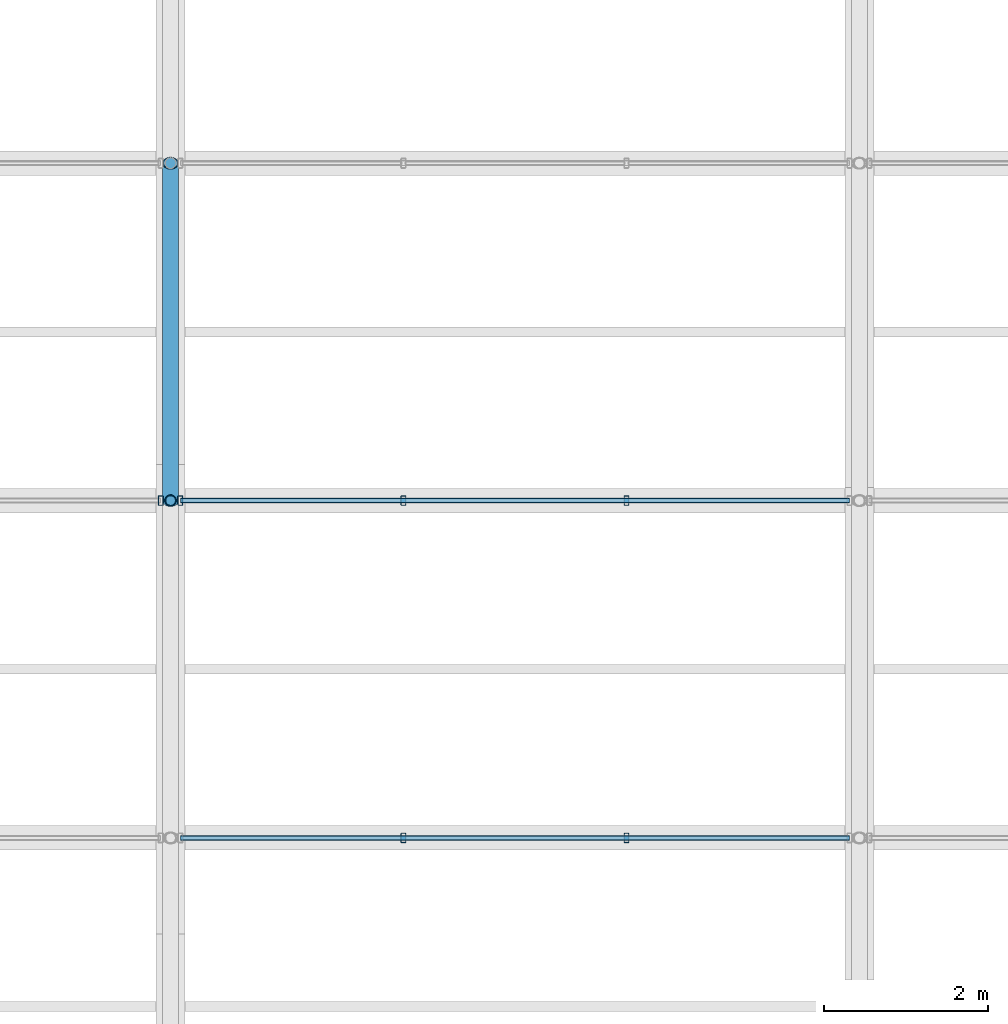
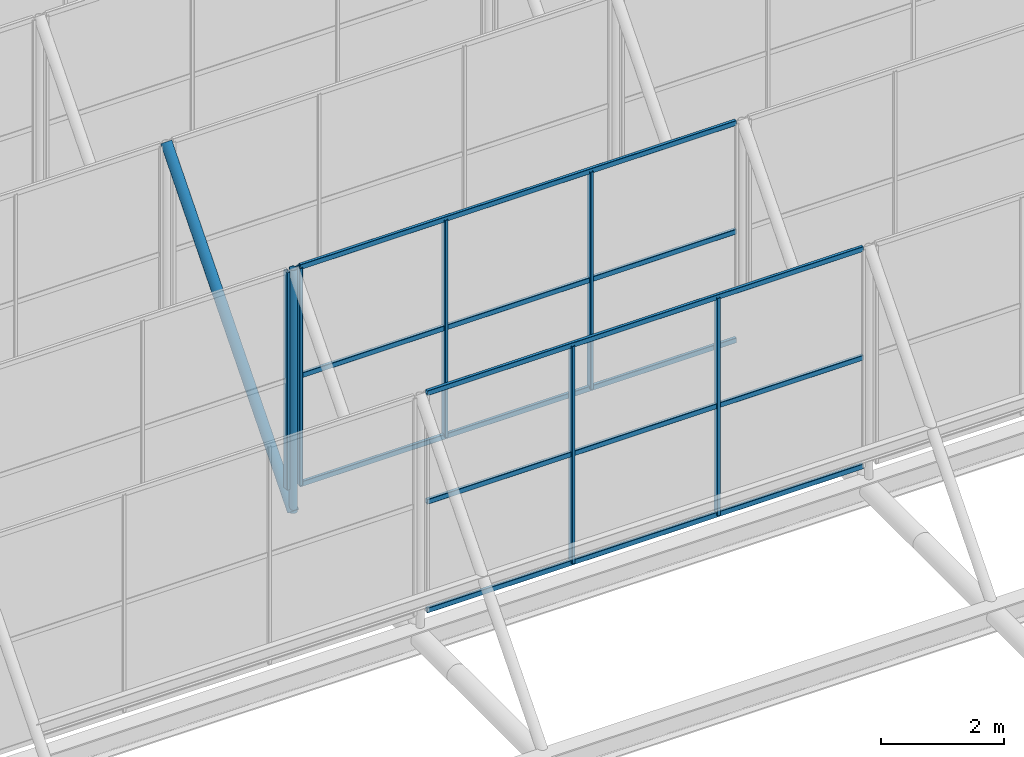
# One storey, part 5 of 77: 14 members, 3 elements without a shape of their own.
"""IFC4 building model written with IfcOpenShell, lengths in metres."""

from ifc_helpers import new_model, si_unit, derived_unit, direction, frame, origin, origin_2d, place, context, subcontext, project, spatial, hollow_rectangle, hollow_circle, extrude, material, material_profile, profile_set, type_object, element, aggregate, save


model = new_model("IFC4")

# Units and contexts
model_context = context("Model", 3, precision=1e-05, world=origin(), true_north=direction((0.0, 1.0)))
body_context = subcontext(model_context, "Body", "Model", "MODEL_VIEW")
ifc_project = project(units=[si_unit("LENGTHUNIT", "METRE"), si_unit("AREAUNIT", "SQUARE_METRE"), si_unit("VOLUMEUNIT", "CUBIC_METRE"), si_unit("PLANEANGLEUNIT", "RADIAN"), si_unit("MASSUNIT", "GRAM", prefix="KILO"), derived_unit("THERMALTRANSMITTANCEUNIT", [(si_unit("MASSUNIT", "GRAM", prefix="KILO"), 1), (si_unit("TIMEUNIT", "SECOND"), -3), (si_unit("THERMODYNAMICTEMPERATUREUNIT", "KELVIN"), -1)])], contexts=[model_context])

# Site, building, storey
site_placement = place(None, origin())
site = spatial("IfcSite", under=ifc_project, at=site_placement, CompositionType="ELEMENT")
building_placement = place(site_placement, origin())
building = spatial("IfcBuilding", under=site, at=building_placement, Name="Kharveza Railside Sports Centre", CompositionType="ELEMENT")
storey_placement = place(building_placement, frame((0.0, 0.0, 17.10009765625)))
storey = spatial("IfcBuildingStorey", under=building, at=storey_placement, Name="L04", CompositionType="ELEMENT", Elevation=17.10009765625)

# Curtain wall, members
ifc_material_1 = material(Name="Low-E solar-control laminated glass", Category="glass")
curtain_wall_type = type_object("IfcCurtainWallType", Name="CW-NL01", PredefinedType="NOTDEFINED", material=ifc_material_1)
curtain_wall_1_placement = place(storey_placement, origin())
curtain_wall_1 = element("IfcCurtainWall", 1, at=curtain_wall_1_placement, inside=storey, type_object=curtain_wall_type, Name="CW-V1NL-1-2", PredefinedType="NOTDEFINED")
ifc_material_2 = material(Name="Anodised aluminium 6063-T6", Category="aluminium")
ifc_material_profile_1 = material_profile(ifc_material_2, hollow_rectangle(XDim=0.06005859375, YDim=0.1201171875, WallThickness=0.0048828125, InnerFilletRadius=0.0048828125, OuterFilletRadius=0.010009765625, at=origin_2d()), Name="RHS 60x120x5.0")
ifc_profile_set_1 = profile_set([ifc_material_profile_1], Name="Anodised aluminium 6063-T6")
member_type_1 = type_object("IfcMemberType", Name="CW-ML05", PredefinedType="MULLION", material=ifc_profile_set_1)
member_1_placement = place(storey_placement, frame((44.840087890625, 40.1142578125, -0.550048828125), z_axis=(0.0, 0.0, 1.0), x_axis=(1.0, 0.0, 0.0)))
member_1 = element("IfcMember", 2, at=member_1_placement, type_object=member_type_1, Name="CW-V1NL-1-2-ML2", PredefinedType="MULLION", context=body_context, shape_type="SweptSolid", body=[
    extrude(hollow_rectangle(XDim=0.06005859375, YDim=0.1201171875, WallThickness=0.0048828125, InnerFilletRadius=0.0048828125, OuterFilletRadius=0.010009765625, at=origin_2d()), origin(), (0.0, 0.0, 1.0), 4.300048828125),
])
member_2_placement = place(storey_placement, frame((47.56005859375, 40.1142578125, -0.550048828125), z_axis=(0.0, 0.0, 1.0), x_axis=(1.0, 0.0, 0.0)))
member_2 = element("IfcMember", 3, at=member_2_placement, type_object=member_type_1, Name="CW-V1NL-1-2-ML3", PredefinedType="MULLION", context=body_context, shape_type="SweptSolid", body=[
    extrude(hollow_rectangle(XDim=0.06005859375, YDim=0.1201171875, WallThickness=0.0048828125, InnerFilletRadius=0.0048828125, OuterFilletRadius=0.010009765625, at=origin_2d()), origin(), (0.0, 0.0, 1.0), 4.300048828125),
])

# Curtain wall, member
curtain_wall_2_placement = place(storey_placement, origin())
curtain_wall_2 = element("IfcCurtainWall", 4, at=curtain_wall_2_placement, inside=storey, type_object=curtain_wall_type, Name="CW-V1NL-2-1", PredefinedType="NOTDEFINED")
member_3_placement = place(storey_placement, frame((41.8798828125, 44.228515625, -0.550048828125), z_axis=(0.0, 0.0, 1.0), x_axis=(1.0, 0.0, 0.0)))
member_3 = element("IfcMember", 5, at=member_3_placement, type_object=member_type_1, Name="CW-V1NL-2-1-ML4", PredefinedType="MULLION", context=body_context, shape_type="SweptSolid", body=[
    extrude(hollow_rectangle(XDim=0.06005859375, YDim=0.1201171875, WallThickness=0.0048828125, InnerFilletRadius=0.0048828125, OuterFilletRadius=0.010009765625, at=origin_2d()), origin(), (0.0, 0.0, 1.0), 4.300048828125),
])
aggregate(curtain_wall_2, [member_3])

# Curtain wall, members
curtain_wall_3_placement = place(storey_placement, origin())
curtain_wall_3 = element("IfcCurtainWall", 6, at=curtain_wall_3_placement, inside=storey, type_object=curtain_wall_type, Name="CW-V1NL-2-2", PredefinedType="NOTDEFINED")
member_4_placement = place(storey_placement, frame((42.1201171875, 44.228515625, -0.550048828125), z_axis=(0.0, 0.0, 1.0), x_axis=(1.0, 0.0, 0.0)))
member_4 = element("IfcMember", 7, at=member_4_placement, type_object=member_type_1, Name="CW-V1NL-2-2-ML1", PredefinedType="MULLION", context=body_context, shape_type="SweptSolid", body=[
    extrude(hollow_rectangle(XDim=0.06005859375, YDim=0.1201171875, WallThickness=0.0048828125, InnerFilletRadius=0.0048828125, OuterFilletRadius=0.010009765625, at=origin_2d()), origin(), (0.0, 0.0, 1.0), 4.300048828125),
])
member_5_placement = place(storey_placement, frame((44.840087890625, 44.228515625, -0.550048828125), z_axis=(0.0, 0.0, 1.0), x_axis=(1.0, 0.0, 0.0)))
member_5 = element("IfcMember", 8, at=member_5_placement, type_object=member_type_1, Name="CW-V1NL-2-2-ML2", PredefinedType="MULLION", context=body_context, shape_type="SweptSolid", body=[
    extrude(hollow_rectangle(XDim=0.06005859375, YDim=0.1201171875, WallThickness=0.0048828125, InnerFilletRadius=0.0048828125, OuterFilletRadius=0.010009765625, at=origin_2d()), origin(), (0.0, 0.0, 1.0), 4.300048828125),
])
member_6_placement = place(storey_placement, frame((47.56005859375, 44.228515625, -0.550048828125), z_axis=(0.0, 0.0, 1.0), x_axis=(1.0, 0.0, 0.0)))
member_6 = element("IfcMember", 9, at=member_6_placement, type_object=member_type_1, Name="CW-V1NL-2-2-ML3", PredefinedType="MULLION", context=body_context, shape_type="SweptSolid", body=[
    extrude(hollow_rectangle(XDim=0.06005859375, YDim=0.1201171875, WallThickness=0.0048828125, InnerFilletRadius=0.0048828125, OuterFilletRadius=0.010009765625, at=origin_2d()), origin(), (0.0, 0.0, 1.0), 4.300048828125),
])

# Member
ifc_material_profile_2 = material_profile(ifc_material_2, hollow_rectangle(XDim=0.06005859375, YDim=0.10009765625, WallThickness=0.00390625, InnerFilletRadius=0.00390625, OuterFilletRadius=0.008056640625, at=origin_2d()), Name="RHS 60x100x4.0")
ifc_profile_set_2 = profile_set([ifc_material_profile_2], Name="Anodised aluminium 6063-T6")
member_type_2 = type_object("IfcMemberType", Name="CW-TR05", PredefinedType="USERDEFINED", material=ifc_profile_set_2)
member_7_placement = place(storey_placement, frame((42.1201171875, 40.1142578125, -0.550048828125), z_axis=(1.0, 0.0, 0.0), x_axis=(0.0, 1.0, 0.0)))
member_7 = element("IfcMember", 10, at=member_7_placement, type_object=member_type_2, Name="CW-V1NL-1-2-TR1", ObjectType="TRANSOM", PredefinedType="USERDEFINED", context=body_context, shape_type="SweptSolid", body=[
    extrude(hollow_rectangle(XDim=0.06005859375, YDim=0.10009765625, WallThickness=0.00390625, InnerFilletRadius=0.00390625, OuterFilletRadius=0.008056640625, at=origin_2d()), origin(), (0.0, 0.0, 1.0), 8.159912109375),
])

member_8_placement = place(storey_placement, frame((42.1201171875, 40.1142578125, 1.599853515625), z_axis=(1.0, 0.0, 0.0), x_axis=(0.0, 1.0, 0.0)))
member_8 = element("IfcMember", 11, at=member_8_placement, type_object=member_type_2, Name="CW-V1NL-1-2-TR2", ObjectType="TRANSOM", PredefinedType="USERDEFINED", context=body_context, shape_type="SweptSolid", body=[
    extrude(hollow_rectangle(XDim=0.06005859375, YDim=0.10009765625, WallThickness=0.00390625, InnerFilletRadius=0.00390625, OuterFilletRadius=0.008056640625, at=origin_2d()), origin(), (0.0, 0.0, 1.0), 8.159912109375),
])

member_9_placement = place(storey_placement, frame((42.1201171875, 40.1142578125, 3.75), z_axis=(1.0, 0.0, 0.0), x_axis=(0.0, 1.0, 0.0)))
member_9 = element("IfcMember", 12, at=member_9_placement, type_object=member_type_2, Name="CW-V1NL-1-2-TR3", ObjectType="TRANSOM", PredefinedType="USERDEFINED", context=body_context, shape_type="SweptSolid", body=[
    extrude(hollow_rectangle(XDim=0.06005859375, YDim=0.10009765625, WallThickness=0.00390625, InnerFilletRadius=0.00390625, OuterFilletRadius=0.008056640625, at=origin_2d()), origin(), (0.0, 0.0, 1.0), 8.159912109375),
])

aggregate(curtain_wall_1, [member_1, member_2, member_7, member_8, member_9])

member_10_placement = place(storey_placement, frame((42.1201171875, 44.228515625, -0.550048828125), z_axis=(1.0, 0.0, 0.0), x_axis=(0.0, 1.0, 0.0)))
member_10 = element("IfcMember", 13, at=member_10_placement, type_object=member_type_2, Name="CW-V1NL-2-2-TR1", ObjectType="TRANSOM", PredefinedType="USERDEFINED", context=body_context, shape_type="SweptSolid", body=[
    extrude(hollow_rectangle(XDim=0.06005859375, YDim=0.10009765625, WallThickness=0.00390625, InnerFilletRadius=0.00390625, OuterFilletRadius=0.008056640625, at=origin_2d()), origin(), (0.0, 0.0, 1.0), 8.159912109375),
])

member_11_placement = place(storey_placement, frame((42.1201171875, 44.228515625, 1.599853515625), z_axis=(1.0, 0.0, 0.0), x_axis=(0.0, 1.0, 0.0)))
member_11 = element("IfcMember", 14, at=member_11_placement, type_object=member_type_2, Name="CW-V1NL-2-2-TR2", ObjectType="TRANSOM", PredefinedType="USERDEFINED", context=body_context, shape_type="SweptSolid", body=[
    extrude(hollow_rectangle(XDim=0.06005859375, YDim=0.10009765625, WallThickness=0.00390625, InnerFilletRadius=0.00390625, OuterFilletRadius=0.008056640625, at=origin_2d()), origin(), (0.0, 0.0, 1.0), 8.159912109375),
])

member_12_placement = place(storey_placement, frame((42.1201171875, 44.228515625, 3.75), z_axis=(1.0, 0.0, 0.0), x_axis=(0.0, 1.0, 0.0)))
member_12 = element("IfcMember", 15, at=member_12_placement, type_object=member_type_2, Name="CW-V1NL-2-2-TR3", ObjectType="TRANSOM", PredefinedType="USERDEFINED", context=body_context, shape_type="SweptSolid", body=[
    extrude(hollow_rectangle(XDim=0.06005859375, YDim=0.10009765625, WallThickness=0.00390625, InnerFilletRadius=0.00390625, OuterFilletRadius=0.008056640625, at=origin_2d()), origin(), (0.0, 0.0, 1.0), 8.159912109375),
])

aggregate(curtain_wall_3, [member_4, member_5, member_6, member_10, member_11, member_12])

# Members
ifc_material_3 = material(Name="Steel S355J2", Category="steel")
ifc_material_profile_3 = material_profile(ifc_material_3, hollow_circle(Radius=0.096923828125, WallThickness=0.010009765625, at=origin_2d()), Name="CHS 193.7x10.0")
ifc_profile_set_3 = profile_set([ifc_material_profile_3], Name="Steel S355J2")
member_type_3 = type_object("IfcMemberType", Name="MB-ST02", PredefinedType="STRUT", material=ifc_profile_set_3)
member_13_placement = place(storey_placement, frame((42.0, 44.228515625, -1.050048828125), z_axis=(0.0, 0.65002553535, 0.759912365601), x_axis=(-1.0, 0.0, 0.0)))
element("IfcMember", 16, at=member_13_placement, inside=storey, type_object=member_type_3, Name="MB-V1SAW-RFT-3-2", PredefinedType="STRUT", context=body_context, shape_type="SweptSolid", body=[
    extrude(hollow_circle(Radius=0.096923828125, WallThickness=0.010009765625, at=origin_2d()), origin(), (0.0, 0.0, 1.0), 6.329833984375),
])
ifc_material_profile_4 = material_profile(ifc_material_3, hollow_circle(Radius=0.06982421875, WallThickness=0.008056640625, at=origin_2d()), Name="CHS 139.7x8.0")
ifc_profile_set_4 = profile_set([ifc_material_profile_4], Name="Steel S355J2")
member_type_4 = type_object("IfcMemberType", Name="MB-ST04", PredefinedType="STRUT", material=ifc_profile_set_4)
member_14_placement = place(storey_placement, frame((42.0, 44.228515625, -1.050048828125), z_axis=(0.0, 0.0, 1.0), x_axis=(1.0, 0.0, 0.0)))
element("IfcMember", 17, at=member_14_placement, inside=storey, type_object=member_type_4, Name="MB-V1SAW-PST-2-2", PredefinedType="STRUT", context=body_context, shape_type="SweptSolid", body=[
    extrude(hollow_circle(Radius=0.06982421875, WallThickness=0.008056640625, at=origin_2d()), origin(), (0.0, 0.0, 1.0), 4.81005859375),
])

save(model, "model.ifc")
